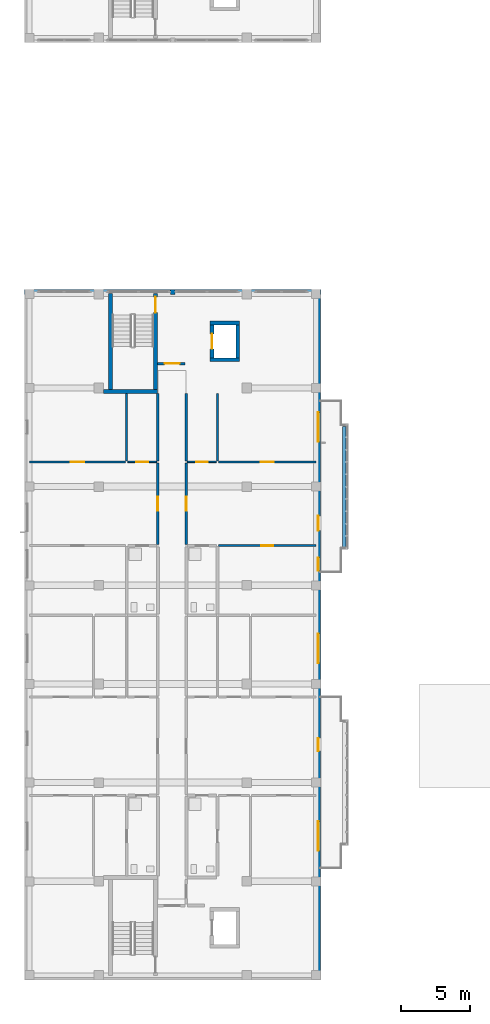
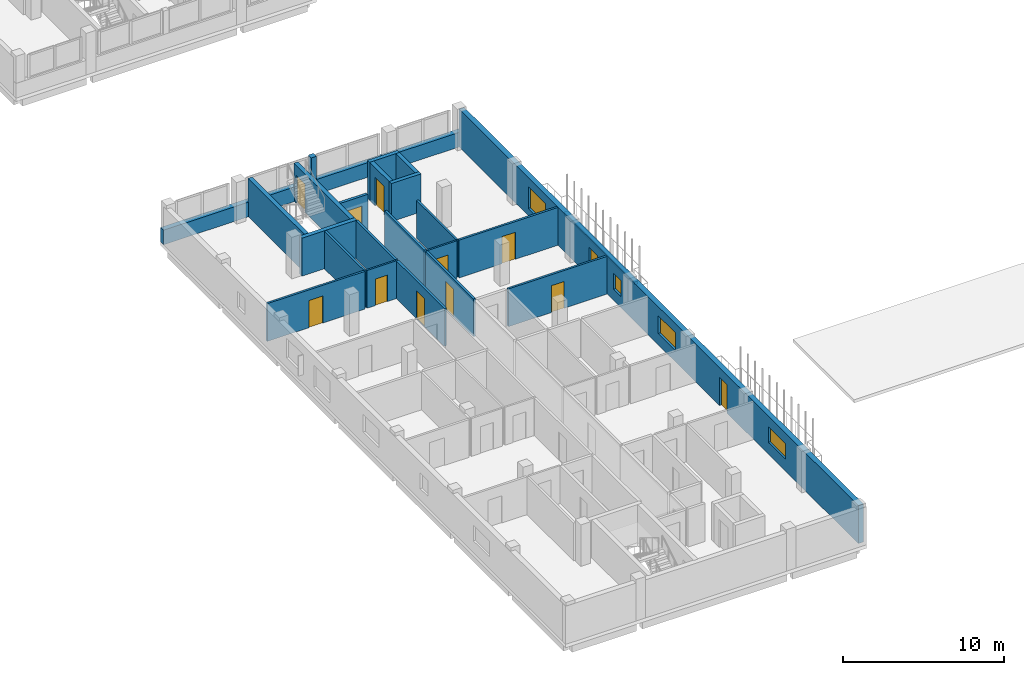
# One storey, part 26 of 51: 23 walls, 12 doors, 4 windows, 16 openings.
"""IFC4 building model written with IfcOpenShell, lengths in metres."""

from ifc_helpers import new_model, si_unit, derived_unit, direction, frame, frame_2d, origin, place, context, subcontext, project, spatial, rectangle, extrude, material, layer, layer_set, type_object, element, fill, save


model = new_model("IFC4")

# Units and contexts
model_context = context("Model", 3, precision=1e-05, world=origin(), true_north=direction((0.0, 1.0)))
body_context = subcontext(model_context, "Body", "Model", "MODEL_VIEW")
ifc_project = project(units=[si_unit("LENGTHUNIT", "METRE"), si_unit("AREAUNIT", "SQUARE_METRE"), si_unit("VOLUMEUNIT", "CUBIC_METRE"), si_unit("PLANEANGLEUNIT", "RADIAN"), si_unit("MASSUNIT", "GRAM", prefix="KILO"), derived_unit("THERMALTRANSMITTANCEUNIT", [(si_unit("MASSUNIT", "GRAM", prefix="KILO"), 1), (si_unit("TIMEUNIT", "SECOND"), -3), (si_unit("THERMODYNAMICTEMPERATUREUNIT", "KELVIN"), -1)])], contexts=[model_context])

# Site, building, storey
site_placement = place(None, origin())
site = spatial("IfcSite", under=ifc_project, at=site_placement, CompositionType="ELEMENT")
building_placement = place(site_placement, origin())
building = spatial("IfcBuilding", under=site, at=building_placement, Name="Ochrekiln Boulevard Commons", CompositionType="ELEMENT")
storey_placement = place(building_placement, frame((0.0, 0.0, 15.22509765625)))
storey = spatial("IfcBuildingStorey", under=building, at=storey_placement, Name="L04", CompositionType="ELEMENT", Elevation=15.22509765625)

# Wall, openings, doors, windows
ifc_material_1 = material(Name="Iron-spot brown clinker brick masonry ASTM C216 Grade SW", Category="masonry")
ifc_layer_1 = layer(ifc_material_1, 0.364990234375)
ifc_layer_set_1 = layer_set([ifc_layer_1], Name="Iron-spot brown clinker brick masonry ASTM C216 Grade SW")
wall_type_1 = type_object("IfcWallType", Name="WL-EXT-IRON-365", PredefinedType="SOLIDWALL", material=ifc_layer_set_1)
wall_1_placement = place(storey_placement, frame((21.41748046875, 0.364990234375, 0.0), z_axis=(0.0, 0.0, 1.0), x_axis=(0.0, 1.0, 0.0)))
wall_1 = element("IfcWall", 1, at=wall_1_placement, inside=storey, type_object=wall_type_1, Name="Block D L04 E Exterior Wall", PredefinedType="SOLIDWALL", context=body_context, shape_type="SweptSolid", body=[
    extrude(rectangle(XDim=49.669921875, YDim=0.364990234375, at=frame_2d((24.8349609375, 0.0))), origin(), (0.0, 0.0, 1.0), 2.889892578125),
])
opening_1_placement = place(wall_1_placement, frame((16.3349609375, 0.0, 0.0)))
opening_1 = element("IfcOpeningElement", 2, at=opening_1_placement, cuts=wall_1, Name="Opening D-L04-BL045", PredefinedType="OPENING", context=body_context, shape_type="SweptSolid", body=[
    extrude(rectangle(XDim=0.949951171875, YDim=2.14990234375, at=frame_2d((0.47509765625, 1.074951171875))), frame((0.0, 0.1923828125, 0.0), z_axis=(0.0, -1.0, 0.0), x_axis=(1.0, 0.0, 0.0)), (0.0, 0.0, 1.0), 0.385009765625),
])
opening_2_placement = place(wall_1_placement, frame((9.052978515625, 0.0, 0.89990234375)))
opening_2 = element("IfcOpeningElement", 3, at=opening_2_placement, cuts=wall_1, Name="Opening W-51", PredefinedType="OPENING", context=body_context, shape_type="SweptSolid", body=[
    extrude(rectangle(XDim=2.14990234375, YDim=1.199951171875, at=frame_2d((1.074951171875, 0.60009765625))), frame((0.0, 0.1923828125, 0.0), z_axis=(0.0, -1.0, 0.0), x_axis=(1.0, 0.0, 0.0)), (0.0, 0.0, 1.0), 0.385009765625),
])
opening_3_placement = place(wall_1_placement, frame((22.75390625, 0.0, 0.85498046875)))
opening_3 = element("IfcOpeningElement", 4, at=opening_3_placement, cuts=wall_1, Name="Opening W-52", PredefinedType="OPENING", context=body_context, shape_type="SweptSolid", body=[
    extrude(rectangle(XDim=2.14990234375, YDim=1.35009765625, at=frame_2d((1.074951171875, 0.675048828125))), frame((0.0, 0.1923828125, 0.0), z_axis=(0.0, -1.0, 0.0), x_axis=(1.0, 0.0, 0.0)), (0.0, 0.0, 1.0), 0.385009765625),
])
opening_4_placement = place(wall_1_placement, frame((32.429931640625, 0.0, 0.0)))
opening_4 = element("IfcOpeningElement", 5, at=opening_4_placement, cuts=wall_1, Name="Opening D-L04-BL046", PredefinedType="OPENING", context=body_context, shape_type="SweptSolid", body=[
    extrude(rectangle(XDim=1.080078125, YDim=2.179931640625, at=frame_2d((0.5400390625, 1.08984375))), frame((0.0, 0.1923828125, 0.0), z_axis=(0.0, -1.0, 0.0), x_axis=(1.0, 0.0, 0.0)), (0.0, 0.0, 1.0), 0.385009765625),
])
opening_5_placement = place(wall_1_placement, frame((29.5, 0.0, 0.85009765625)))
opening_5 = element("IfcOpeningElement", 6, at=opening_5_placement, cuts=wall_1, Name="Opening W-01", PredefinedType="OPENING", context=body_context, shape_type="SweptSolid", body=[
    extrude(rectangle(XDim=0.949951171875, YDim=1.199951171875, at=frame_2d((0.47509765625, 0.60009765625))), frame((0.0, 0.1923828125, 0.0), z_axis=(0.0, -1.0, 0.0), x_axis=(1.0, 0.0, 0.0)), (0.0, 0.0, 1.0), 0.385009765625),
])
opening_6_placement = place(wall_1_placement, frame((38.904052734375, 0.0, 0.554931640625)))
opening_6 = element("IfcOpeningElement", 7, at=opening_6_placement, cuts=wall_1, Name="Opening W-54", PredefinedType="OPENING", context=body_context, shape_type="SweptSolid", body=[
    extrude(rectangle(XDim=2.14990234375, YDim=1.64990234375, at=frame_2d((1.074951171875, 0.824951171875))), frame((0.0, 0.1923828125, 0.0), z_axis=(0.0, -1.0, 0.0), x_axis=(1.0, 0.0, 0.0)), (0.0, 0.0, 1.0), 0.385009765625),
])
ifc_material_2 = material(Name="Thermally broken aluminium-clad oak frame", Category="aluminium")
door_type_1 = type_object("IfcDoorType", Name="DR-EXT-BAL-095", OperationType="NOTDEFINED", PredefinedType="DOOR", material=ifc_material_2)
door_1_placement = place(opening_1_placement, frame((0.949951171875, 0.0, 0.0), z_axis=(0.0, 0.0, 1.0), x_axis=(-1.0, 0.0, 0.0)))
door_1 = element("IfcDoor", 8, at=door_1_placement, inside=storey, type_object=door_type_1, Name="Block D L04 Glazed Balcony Patio Door", OperationType="SINGLE_SWING_RIGHT", OverallHeight=2.14990234375, OverallWidth=0.949951171875, PredefinedType="DOOR", context=body_context, shape_type="SweptSolid", body=[
    extrude(rectangle(XDim=0.949951171875, YDim=2.14990234375, at=frame_2d((0.47509765625, 1.074951171875))), frame((0.0, 0.02490234375, 0.0), z_axis=(0.0, -1.0, 0.0), x_axis=(1.0, 0.0, 0.0)), (0.0, 0.0, 1.0), 0.050048828125),
])
fill(opening_1, door_1)
door_type_2 = type_object("IfcDoorType", Name="DR-EXT-BAL-108", OperationType="NOTDEFINED", PredefinedType="DOOR", material=ifc_material_2)
door_2_placement = place(opening_4_placement, frame((1.080078125, 0.0, 0.0), z_axis=(0.0, 0.0, 1.0), x_axis=(-1.0, 0.0, 0.0)))
door_2 = element("IfcDoor", 9, at=door_2_placement, inside=storey, type_object=door_type_2, Name="Block D L04 Glazed Balcony Patio Door", OperationType="SINGLE_SWING_LEFT", OverallHeight=2.179931640625, OverallWidth=1.080078125, PredefinedType="DOOR", context=body_context, shape_type="SweptSolid", body=[
    extrude(rectangle(XDim=1.080078125, YDim=2.179931640625, at=frame_2d((0.5400390625, 1.08984375))), frame((0.0, 0.02490234375, 0.0), z_axis=(0.0, -1.0, 0.0), x_axis=(1.0, 0.0, 0.0)), (0.0, 0.0, 1.0), 0.050048828125),
])
fill(opening_4, door_2)
window_type_1 = type_object("IfcWindowType", Name="WIN-EXT-01", PartitioningType="SINGLE_PANEL", PredefinedType="WINDOW", material=ifc_material_2)
window_1_placement = place(opening_5_placement, origin())
window_1 = element("IfcWindow", 10, at=window_1_placement, inside=storey, type_object=window_type_1, Name="Block D L04 Punched Masonry Window W-01", OverallHeight=1.199951171875, OverallWidth=0.949951171875, PartitioningType="SINGLE_PANEL", PredefinedType="WINDOW", context=body_context, shape_type="SweptSolid", body=[
    extrude(rectangle(XDim=0.949951171875, YDim=1.199951171875, at=frame_2d((0.47509765625, 0.60009765625))), frame((0.0, 0.030029296875, 0.0), z_axis=(0.0, -1.0, 0.0), x_axis=(1.0, 0.0, 0.0)), (0.0, 0.0, 1.0), 0.06005859375),
])
fill(opening_5, window_1)
window_type_2 = type_object("IfcWindowType", Name="WIN-EXT-51", PartitioningType="DOUBLE_PANEL_VERTICAL", PredefinedType="WINDOW", material=ifc_material_2)
window_2_placement = place(opening_2_placement, origin())
window_2 = element("IfcWindow", 11, at=window_2_placement, inside=storey, type_object=window_type_2, Name="Block D L04 Punched Masonry Window W-51", OverallHeight=1.199951171875, OverallWidth=2.14990234375, PartitioningType="DOUBLE_PANEL_VERTICAL", PredefinedType="WINDOW", context=body_context, shape_type="SweptSolid", body=[
    extrude(rectangle(XDim=2.14990234375, YDim=1.199951171875, at=frame_2d((1.074951171875, 0.60009765625))), frame((0.0, 0.030029296875, 0.0), z_axis=(0.0, -1.0, 0.0), x_axis=(1.0, 0.0, 0.0)), (0.0, 0.0, 1.0), 0.06005859375),
])
fill(opening_2, window_2)
window_type_3 = type_object("IfcWindowType", Name="WIN-EXT-52", PartitioningType="DOUBLE_PANEL_VERTICAL", PredefinedType="WINDOW", material=ifc_material_2)
window_3_placement = place(opening_3_placement, origin())
window_3 = element("IfcWindow", 12, at=window_3_placement, inside=storey, type_object=window_type_3, Name="Block D L04 Punched Masonry Window W-52", OverallHeight=1.35009765625, OverallWidth=2.14990234375, PartitioningType="DOUBLE_PANEL_VERTICAL", PredefinedType="WINDOW", context=body_context, shape_type="SweptSolid", body=[
    extrude(rectangle(XDim=2.14990234375, YDim=1.35009765625, at=frame_2d((1.074951171875, 0.675048828125))), frame((0.0, 0.030029296875, 0.0), z_axis=(0.0, -1.0, 0.0), x_axis=(1.0, 0.0, 0.0)), (0.0, 0.0, 1.0), 0.06005859375),
])
fill(opening_3, window_3)
window_type_4 = type_object("IfcWindowType", Name="WIN-EXT-54", PartitioningType="DOUBLE_PANEL_VERTICAL", PredefinedType="WINDOW", material=ifc_material_2)
window_4_placement = place(opening_6_placement, origin())
window_4 = element("IfcWindow", 13, at=window_4_placement, inside=storey, type_object=window_type_4, Name="Block D L04 Punched Masonry Window W-54", OverallHeight=1.64990234375, OverallWidth=2.14990234375, PartitioningType="DOUBLE_PANEL_VERTICAL", PredefinedType="WINDOW", context=body_context, shape_type="SweptSolid", body=[
    extrude(rectangle(XDim=2.14990234375, YDim=1.64990234375, at=frame_2d((1.074951171875, 0.824951171875))), frame((0.0, 0.030029296875, 0.0), z_axis=(0.0, -1.0, 0.0), x_axis=(1.0, 0.0, 0.0)), (0.0, 0.0, 1.0), 0.06005859375),
])
fill(opening_6, window_4)

# Walls
wall_2_placement = place(storey_placement, frame((0.0, 50.217529296875, 0.0), z_axis=(0.0, 0.0, 1.0), x_axis=(1.0, 0.0, 0.0)))
element("IfcWall", 14, at=wall_2_placement, inside=storey, type_object=wall_type_1, Name="Block D L04 Courtyard Gable Sill Wall", PredefinedType="SOLIDWALL", context=body_context, shape_type="SweptSolid", body=[
    extrude(rectangle(XDim=21.60009765625, YDim=0.364990234375, at=frame_2d((10.800048828125, 0.0))), origin(), (0.0, 0.0, 1.0), 1.10986328125),
])
wall_3_placement = place(storey_placement, frame((10.6201171875, 50.217529296875, 1.10986328125), z_axis=(0.0, 0.0, 1.0), x_axis=(1.0, 0.0, 0.0)))
element("IfcWall", 15, at=wall_3_placement, inside=storey, type_object=wall_type_1, Name="Block D L04 Courtyard Gable Mullion Pier", PredefinedType="SOLIDWALL", context=body_context, shape_type="SweptSolid", body=[
    extrude(rectangle(XDim=0.35986328125, YDim=0.364990234375, at=frame_2d((0.179931640625, 0.0))), origin(), (0.0, 0.0, 1.0), 1.780029296875),
])
ifc_material_3 = material(Name="Glazed architectural terracotta ASTM C1405", Category="masonry")
ifc_layer_2 = layer(ifc_material_3, 0.25)
ifc_layer_set_2 = layer_set([ifc_layer_2], Name="Glazed architectural terracotta ASTM C1405")
wall_type_2 = type_object("IfcWallType", Name="WL-PLN-250", PredefinedType="PARAPET", material=ifc_layer_set_2)
wall_4_placement = place(storey_placement, frame((23.320068359375, 31.610107421875, 0.0), z_axis=(0.0, 0.0, 1.0), x_axis=(0.0, 1.0, 0.0)))
element("IfcWall", 16, at=wall_4_placement, inside=storey, type_object=wall_type_2, Name="Block D L04 Balcony Terracotta Planter Box 2", PredefinedType="PARAPET", context=body_context, shape_type="SweptSolid", body=[
    extrude(rectangle(XDim=8.77978515625, YDim=0.25, at=frame_2d((4.389892578125, 0.0))), origin(), (0.0, 0.0, 1.0), 0.22998046875),
])

# Wall, opening, door
ifc_material_4 = material(Name="Fire-rated Type X gypsum board on steel studs", Category="steel")
ifc_layer_3 = layer(ifc_material_4, 0.1650390625)
ifc_layer_set_3 = layer_set([ifc_layer_3], Name="Fire-rated Type X gypsum board on steel studs")
wall_type_3 = type_object("IfcWallType", Name="WL-PT-CORR-165", PredefinedType="PARTITIONING", material=ifc_layer_set_3)
wall_5_placement = place(storey_placement, frame((9.7099609375, 31.77001953125, 0.0), z_axis=(0.0, 0.0, 1.0), x_axis=(0.0, 1.0, 0.0)))
wall_5 = element("IfcWall", 17, at=wall_5_placement, inside=storey, type_object=wall_type_3, Name="L04 Interior Wall W-PC165", PredefinedType="PARTITIONING", context=body_context, shape_type="SweptSolid", body=[
    extrude(rectangle(XDim=5.9580078125, YDim=0.1650390625, at=frame_2d((2.97900390625, 0.0))), origin(), (0.0, 0.0, 1.0), 2.869873046875),
])
opening_7_placement = place(wall_5_placement, frame((2.47412109375, 0.0, 0.0)))
opening_7 = element("IfcOpeningElement", 18, at=opening_7_placement, cuts=wall_5, Name="Opening D-L04-652", PredefinedType="OPENING", context=body_context, shape_type="SweptSolid", body=[
    extrude(rectangle(XDim=1.010009765625, YDim=2.110107421875, at=frame_2d((0.5048828125, 1.05517578125))), frame((0.0, 0.092529296875, 0.0), z_axis=(0.0, -1.0, 0.0), x_axis=(1.0, 0.0, 0.0)), (0.0, 0.0, 1.0), 0.18505859375),
])
ifc_material_5 = material(Name="Solid core architectural oak door leaf")
door_type_3 = type_object("IfcDoorType", Name="DR-INT-APT-101", OperationType="NOTDEFINED", PredefinedType="DOOR", material=ifc_material_5)
door_3_placement = place(opening_7_placement, origin())
door_3 = element("IfcDoor", 19, at=door_3_placement, inside=storey, type_object=door_type_3, Name="L04 Interior Door to Two-Bedroom Apartment Living Room", OperationType="SINGLE_SWING_RIGHT", OverallHeight=2.110107421875, OverallWidth=1.010009765625, PredefinedType="DOOR", context=body_context, shape_type="SweptSolid", body=[
    extrude(rectangle(XDim=1.010009765625, YDim=2.110107421875, at=frame_2d((0.5048828125, 1.05517578125))), frame((0.0, 0.02490234375, 0.0), z_axis=(0.0, -1.0, 0.0), x_axis=(1.0, 0.0, 0.0)), (0.0, 0.0, 1.0), 0.050048828125),
])
fill(opening_7, door_3)

# Wall
wall_6_placement = place(storey_placement, frame((9.7099609375, 37.887939453125, 0.0), z_axis=(0.0, 0.0, 1.0), x_axis=(0.0, 1.0, 0.0)))
element("IfcWall", 20, at=wall_6_placement, inside=storey, type_object=wall_type_3, Name="L04 Interior Wall W-PC165", PredefinedType="PARTITIONING", context=body_context, shape_type="SweptSolid", body=[
    extrude(rectangle(XDim=4.912109375, YDim=0.1650390625, at=frame_2d((2.4560546875, 0.0))), origin(), (0.0, 0.0, 1.0), 2.869873046875),
])

# Wall, opening, door
wall_7_placement = place(storey_placement, frame((11.7900390625, 31.77001953125, 0.0), z_axis=(0.0, 0.0, 1.0), x_axis=(0.0, 1.0, 0.0)))
wall_7 = element("IfcWall", 21, at=wall_7_placement, inside=storey, type_object=wall_type_3, Name="L04 Interior Wall W-PC165", PredefinedType="PARTITIONING", context=body_context, shape_type="SweptSolid", body=[
    extrude(rectangle(XDim=5.9580078125, YDim=0.1650390625, at=frame_2d((2.97900390625, 0.0))), origin(), (0.0, 0.0, 1.0), 2.869873046875),
])
opening_8_placement = place(wall_7_placement, frame((2.47412109375, 0.0, 0.0)))
opening_8 = element("IfcOpeningElement", 22, at=opening_8_placement, cuts=wall_7, Name="Opening D-L04-654", PredefinedType="OPENING", context=body_context, shape_type="SweptSolid", body=[
    extrude(rectangle(XDim=1.010009765625, YDim=2.110107421875, at=frame_2d((0.5048828125, 1.05517578125))), frame((0.0, 0.092529296875, 0.0), z_axis=(0.0, -1.0, 0.0), x_axis=(1.0, 0.0, 0.0)), (0.0, 0.0, 1.0), 0.18505859375),
])
door_4_placement = place(opening_8_placement, frame((1.010009765625, 0.0, 0.0), z_axis=(0.0, 0.0, 1.0), x_axis=(-1.0, 0.0, 0.0)))
door_4 = element("IfcDoor", 23, at=door_4_placement, inside=storey, type_object=door_type_3, Name="L04 Interior Door to Two-Bedroom Apartment Living Room", OperationType="SINGLE_SWING_RIGHT", OverallHeight=2.110107421875, OverallWidth=1.010009765625, PredefinedType="DOOR", context=body_context, shape_type="SweptSolid", body=[
    extrude(rectangle(XDim=1.010009765625, YDim=2.110107421875, at=frame_2d((0.5048828125, 1.05517578125))), frame((0.0, 0.02490234375, 0.0), z_axis=(0.0, -1.0, 0.0), x_axis=(1.0, 0.0, 0.0)), (0.0, 0.0, 1.0), 0.050048828125),
])
fill(opening_8, door_4)

# Wall
wall_8_placement = place(storey_placement, frame((11.7900390625, 37.887939453125, 0.0), z_axis=(0.0, 0.0, 1.0), x_axis=(0.0, 1.0, 0.0)))
element("IfcWall", 24, at=wall_8_placement, inside=storey, type_object=wall_type_3, Name="L04 Interior Wall W-PC165", PredefinedType="PARTITIONING", context=body_context, shape_type="SweptSolid", body=[
    extrude(rectangle(XDim=4.912109375, YDim=0.1650390625, at=frame_2d((2.4560546875, 0.0))), origin(), (0.0, 0.0, 1.0), 2.869873046875),
])

# Wall, opening, door
ifc_layer_4 = layer(ifc_material_4, 0.18994140625)
ifc_layer_set_4 = layer_set([ifc_layer_4], Name="Fire-rated Type X gypsum board on steel studs")
wall_type_4 = type_object("IfcWallType", Name="WL-PT-LBY-190", PredefinedType="PARTITIONING", material=ifc_layer_set_4)
wall_9_placement = place(storey_placement, frame((9.699951171875, 44.97998046875, 0.0), z_axis=(0.0, 0.0, 1.0), x_axis=(1.0, 0.0, 0.0)))
wall_9 = element("IfcWall", 25, at=wall_9_placement, inside=storey, type_object=wall_type_4, Name="L04 Interior Wall W-PL190", PredefinedType="PARTITIONING", context=body_context, shape_type="SweptSolid", body=[
    extrude(rectangle(XDim=2.0, YDim=0.18994140625, at=frame_2d((1.0, 0.0))), origin(), (0.0, 0.0, 1.0), 2.869873046875),
])
opening_9_placement = place(wall_9_placement, frame((0.5, 0.0, 0.0)))
opening_9 = element("IfcOpeningElement", 26, at=opening_9_placement, cuts=wall_9, Name="Opening D-L04-649", PredefinedType="OPENING", context=body_context, shape_type="SweptSolid", body=[
    extrude(rectangle(XDim=1.10009765625, YDim=2.1201171875, at=frame_2d((0.550048828125, 1.06005859375))), frame((0.0, 0.10498046875, 0.0), z_axis=(0.0, -1.0, 0.0), x_axis=(1.0, 0.0, 0.0)), (0.0, 0.0, 1.0), 0.2099609375),
])
ifc_material_6 = material(Name="Hollow metal fire-rated steel door assembly", Category="steel")
door_type_4 = type_object("IfcDoorType", Name="DR-LOBBY-60", OperationType="NOTDEFINED", PredefinedType="DOOR", material=ifc_material_6)
door_5_placement = place(opening_9_placement, origin())
door_5 = element("IfcDoor", 27, at=door_5_placement, inside=storey, type_object=door_type_4, Name="L04 Interior Door to Passenger Elevator Lobby", OperationType="SINGLE_SWING_LEFT", OverallHeight=2.1201171875, OverallWidth=1.10009765625, PredefinedType="DOOR", context=body_context, shape_type="SweptSolid", body=[
    extrude(rectangle(XDim=1.10009765625, YDim=2.1201171875, at=frame_2d((0.550048828125, 1.06005859375))), frame((0.0, 0.02490234375, 0.0), z_axis=(0.0, -1.0, 0.0), x_axis=(1.0, 0.0, 0.0)), (0.0, 0.0, 1.0), 0.050048828125),
])
fill(opening_9, door_5)

ifc_layer_5 = layer(ifc_material_4, 0.1201171875)
ifc_layer_set_5 = layer_set([ifc_layer_5], Name="Fire-rated Type X gypsum board on steel studs")
wall_type_5 = type_object("IfcWallType", Name="WL-PT-LGT-120", PredefinedType="PARTITIONING", material=ifc_layer_set_5)
wall_10_placement = place(storey_placement, frame((7.52001953125, 37.80810546875, 0.0), z_axis=(0.0, 0.0, 1.0), x_axis=(1.0, 0.0, 0.0)))
wall_10 = element("IfcWall", 28, at=wall_10_placement, inside=storey, type_object=wall_type_5, Name="L04 Interior Wall W-PL120", PredefinedType="PARTITIONING", context=body_context, shape_type="SweptSolid", body=[
    extrude(rectangle(XDim=2.10791015625, YDim=0.1201171875, at=frame_2d((1.053955078125, 0.0))), origin(), (0.0, 0.0, 1.0), 2.869873046875),
])
opening_10_placement = place(wall_10_placement, frame((0.625, 0.0, 0.0)))
opening_10 = element("IfcOpeningElement", 29, at=opening_10_placement, cuts=wall_10, Name="Opening D-L04-663", PredefinedType="OPENING", context=body_context, shape_type="SweptSolid", body=[
    extrude(rectangle(XDim=0.85009765625, YDim=2.010009765625, at=frame_2d((0.425048828125, 1.0048828125))), frame((0.0, 0.070068359375, 0.0), z_axis=(0.0, -1.0, 0.0), x_axis=(1.0, 0.0, 0.0)), (0.0, 0.0, 1.0), 0.14013671875),
])
door_type_5 = type_object("IfcDoorType", Name="DR-INT-KIT-085", OperationType="NOTDEFINED", PredefinedType="DOOR", material=ifc_material_5)
door_6_placement = place(opening_10_placement, origin())
door_6 = element("IfcDoor", 30, at=door_6_placement, inside=storey, type_object=door_type_5, Name="L04 Interior Door to Apartment Kitchen", OperationType="SINGLE_SWING_LEFT", OverallHeight=2.010009765625, OverallWidth=0.85009765625, PredefinedType="DOOR", context=body_context, shape_type="SweptSolid", body=[
    extrude(rectangle(XDim=0.85009765625, YDim=2.010009765625, at=frame_2d((0.425048828125, 1.0048828125))), frame((0.0, 0.02490234375, 0.0), z_axis=(0.0, -1.0, 0.0), x_axis=(1.0, 0.0, 0.0)), (0.0, 0.0, 1.0), 0.050048828125),
])
fill(opening_10, door_6)

wall_11_placement = place(storey_placement, frame((11.8720703125, 37.80810546875, 0.0), z_axis=(0.0, 0.0, 1.0), x_axis=(1.0, 0.0, 0.0)))
wall_11 = element("IfcWall", 31, at=wall_11_placement, inside=storey, type_object=wall_type_5, Name="L04 Interior Wall W-PL120", PredefinedType="PARTITIONING", context=body_context, shape_type="SweptSolid", body=[
    extrude(rectangle(XDim=2.10791015625, YDim=0.1201171875, at=frame_2d((1.053955078125, 0.0))), origin(), (0.0, 0.0, 1.0), 2.869873046875),
])
opening_11_placement = place(wall_11_placement, frame((0.633056640625, 0.0, 0.0)))
opening_11 = element("IfcOpeningElement", 32, at=opening_11_placement, cuts=wall_11, Name="Opening D-L04-674", PredefinedType="OPENING", context=body_context, shape_type="SweptSolid", body=[
    extrude(rectangle(XDim=0.85009765625, YDim=2.010009765625, at=frame_2d((0.425048828125, 1.0048828125))), frame((0.0, 0.070068359375, 0.0), z_axis=(0.0, -1.0, 0.0), x_axis=(1.0, 0.0, 0.0)), (0.0, 0.0, 1.0), 0.14013671875),
])
door_7_placement = place(opening_11_placement, origin())
door_7 = element("IfcDoor", 33, at=door_7_placement, inside=storey, type_object=door_type_5, Name="L04 Interior Door to Apartment Kitchen", OperationType="SINGLE_SWING_RIGHT", OverallHeight=2.010009765625, OverallWidth=0.85009765625, PredefinedType="DOOR", context=body_context, shape_type="SweptSolid", body=[
    extrude(rectangle(XDim=0.85009765625, YDim=2.010009765625, at=frame_2d((0.425048828125, 1.0048828125))), frame((0.0, 0.02490234375, 0.0), z_axis=(0.0, -1.0, 0.0), x_axis=(1.0, 0.0, 0.0)), (0.0, 0.0, 1.0), 0.050048828125),
])
fill(opening_11, door_7)

ifc_layer_6 = layer(ifc_material_4, 0.14990234375)
ifc_layer_set_6 = layer_set([ifc_layer_6], Name="Fire-rated Type X gypsum board on steel studs")
wall_type_6 = type_object("IfcWallType", Name="WL-PT-STD-150", PredefinedType="PARTITIONING", material=ifc_layer_set_6)
wall_12_placement = place(storey_placement, frame((0.35009765625, 37.80810546875, 0.0), z_axis=(0.0, 0.0, 1.0), x_axis=(1.0, 0.0, 0.0)))
wall_12 = element("IfcWall", 34, at=wall_12_placement, inside=storey, type_object=wall_type_6, Name="L04 Interior Wall W-PS150", PredefinedType="PARTITIONING", context=body_context, shape_type="SweptSolid", body=[
    extrude(rectangle(XDim=7.010009765625, YDim=0.14990234375, at=frame_2d((3.5048828125, 0.0))), origin(), (0.0, 0.0, 1.0), 2.869873046875),
])
opening_12_placement = place(wall_12_placement, frame((3.0048828125, 0.0, 0.0)))
opening_12 = element("IfcOpeningElement", 35, at=opening_12_placement, cuts=wall_12, Name="Opening D-L04-665", PredefinedType="OPENING", context=body_context, shape_type="SweptSolid", body=[
    extrude(rectangle(XDim=1.0, YDim=2.06005859375, at=frame_2d((0.5, 1.030029296875))), frame((0.0, 0.0849609375, 0.0), z_axis=(0.0, -1.0, 0.0), x_axis=(1.0, 0.0, 0.0)), (0.0, 0.0, 1.0), 0.169921875),
])
door_type_6 = type_object("IfcDoorType", Name="DR-INT-BED-100", OperationType="NOTDEFINED", PredefinedType="DOOR", material=ifc_material_5)
door_8_placement = place(opening_12_placement, origin())
door_8 = element("IfcDoor", 36, at=door_8_placement, inside=storey, type_object=door_type_6, Name="L04 Interior Door to Secondary Apartment Bedroom", OperationType="SINGLE_SWING_LEFT", OverallHeight=2.06005859375, OverallWidth=1.0, PredefinedType="DOOR", context=body_context, shape_type="SweptSolid", body=[
    extrude(rectangle(XDim=1.0, YDim=2.06005859375, at=frame_2d((0.5, 1.030029296875))), frame((0.0, 0.02490234375, 0.0), z_axis=(0.0, -1.0, 0.0), x_axis=(1.0, 0.0, 0.0)), (0.0, 0.0, 1.0), 0.050048828125),
])
fill(opening_12, door_8)

# Wall
wall_13_placement = place(storey_placement, frame((7.43994140625, 37.867919921875, 0.0), z_axis=(0.0, 0.0, 1.0), x_axis=(0.0, 1.0, 0.0)))
element("IfcWall", 37, at=wall_13_placement, inside=storey, type_object=wall_type_6, Name="L04 Interior Wall W-PS150", PredefinedType="PARTITIONING", context=body_context, shape_type="SweptSolid", body=[
    extrude(rectangle(XDim=4.93212890625, YDim=0.14990234375, at=frame_2d((2.466064453125, 0.0))), origin(), (0.0, 0.0, 1.0), 2.869873046875),
])

# Wall, opening, door
wall_14_placement = place(storey_placement, frame((14.139892578125, 31.68994140625, 0.0), z_axis=(0.0, 0.0, 1.0), x_axis=(1.0, 0.0, 0.0)))
wall_14 = element("IfcWall", 38, at=wall_14_placement, inside=storey, type_object=wall_type_6, Name="L04 Interior Wall W-PS150", PredefinedType="PARTITIONING", context=body_context, shape_type="SweptSolid", body=[
    extrude(rectangle(XDim=7.110107421875, YDim=0.14990234375, at=frame_2d((3.55517578125, 0.0))), origin(), (0.0, 0.0, 1.0), 2.869873046875),
])
opening_13_placement = place(wall_14_placement, frame((3.10498046875, 0.0, 0.0)))
opening_13 = element("IfcOpeningElement", 39, at=opening_13_placement, cuts=wall_14, Name="Opening D-L04-675", PredefinedType="OPENING", context=body_context, shape_type="SweptSolid", body=[
    extrude(rectangle(XDim=0.89990234375, YDim=2.0400390625, at=frame_2d((0.449951171875, 1.02001953125))), frame((0.0, 0.0849609375, 0.0), z_axis=(0.0, -1.0, 0.0), x_axis=(1.0, 0.0, 0.0)), (0.0, 0.0, 1.0), 0.169921875),
])
door_type_7 = type_object("IfcDoorType", Name="DR-INT-BED-090", OperationType="NOTDEFINED", PredefinedType="DOOR", material=ifc_material_5)
door_9_placement = place(opening_13_placement, frame((0.89990234375, 0.0, 0.0), z_axis=(0.0, 0.0, 1.0), x_axis=(-1.0, 0.0, 0.0)))
door_9 = element("IfcDoor", 40, at=door_9_placement, inside=storey, type_object=door_type_7, Name="L04 Interior Door to Primary Apartment Bedroom", OperationType="SINGLE_SWING_LEFT", OverallHeight=2.0400390625, OverallWidth=0.89990234375, PredefinedType="DOOR", context=body_context, shape_type="SweptSolid", body=[
    extrude(rectangle(XDim=0.89990234375, YDim=2.0400390625, at=frame_2d((0.449951171875, 1.02001953125))), frame((0.0, 0.02490234375, 0.0), z_axis=(0.0, -1.0, 0.0), x_axis=(1.0, 0.0, 0.0)), (0.0, 0.0, 1.0), 0.050048828125),
])
fill(opening_13, door_9)

wall_15_placement = place(storey_placement, frame((14.139892578125, 37.80810546875, 0.0), z_axis=(0.0, 0.0, 1.0), x_axis=(1.0, 0.0, 0.0)))
wall_15 = element("IfcWall", 41, at=wall_15_placement, inside=storey, type_object=wall_type_6, Name="L04 Interior Wall W-PS150", PredefinedType="PARTITIONING", context=body_context, shape_type="SweptSolid", body=[
    extrude(rectangle(XDim=7.110107421875, YDim=0.14990234375, at=frame_2d((3.55517578125, 0.0))), origin(), (0.0, 0.0, 1.0), 2.869873046875),
])
opening_14_placement = place(wall_15_placement, frame((3.0849609375, 0.0, 0.0)))
opening_14 = element("IfcOpeningElement", 42, at=opening_14_placement, cuts=wall_15, Name="Opening D-L04-676", PredefinedType="OPENING", context=body_context, shape_type="SweptSolid", body=[
    extrude(rectangle(XDim=0.93994140625, YDim=2.06005859375, at=frame_2d((0.469970703125, 1.030029296875))), frame((0.0, 0.0849609375, 0.0), z_axis=(0.0, -1.0, 0.0), x_axis=(1.0, 0.0, 0.0)), (0.0, 0.0, 1.0), 0.169921875),
])
door_type_8 = type_object("IfcDoorType", Name="DR-INT-BED-094", OperationType="NOTDEFINED", PredefinedType="DOOR", material=ifc_material_5)
door_10_placement = place(opening_14_placement, origin())
door_10 = element("IfcDoor", 43, at=door_10_placement, inside=storey, type_object=door_type_8, Name="L04 Interior Door to Secondary Apartment Bedroom", OperationType="SINGLE_SWING_RIGHT", OverallHeight=2.06005859375, OverallWidth=0.93994140625, PredefinedType="DOOR", context=body_context, shape_type="SweptSolid", body=[
    extrude(rectangle(XDim=0.93994140625, YDim=2.06005859375, at=frame_2d((0.469970703125, 1.030029296875))), frame((0.0, 0.02490234375, 0.0), z_axis=(0.0, -1.0, 0.0), x_axis=(1.0, 0.0, 0.0)), (0.0, 0.0, 1.0), 0.050048828125),
])
fill(opening_14, door_10)

# Walls
wall_16_placement = place(storey_placement, frame((14.06005859375, 37.867919921875, 0.0), z_axis=(0.0, 0.0, 1.0), x_axis=(0.0, 1.0, 0.0)))
element("IfcWall", 44, at=wall_16_placement, inside=storey, type_object=wall_type_6, Name="L04 Interior Wall W-PS150", PredefinedType="PARTITIONING", context=body_context, shape_type="SweptSolid", body=[
    extrude(rectangle(XDim=4.93212890625, YDim=0.14990234375, at=frame_2d((2.466064453125, 0.0))), origin(), (0.0, 0.0, 1.0), 2.869873046875),
])
ifc_material_7 = material(Name="Concrete C40/50", Category="concrete")
ifc_layer_7 = layer(ifc_material_7, 0.27490234375)
ifc_layer_set_7 = layer_set([ifc_layer_7], Name="Concrete C40/50")
wall_type_7 = type_object("IfcWallType", Name="WL-SH-275", PredefinedType="SHEAR", material=ifc_layer_set_7)
for number, where, z_axis, x_axis, name in (
    (45, (13.52490234375, 45.262451171875, 0.0), (0.0, 0.0, 1.0), (1.0, 0.0, 0.0), "Elevator LP-D2 L04 Hoistway Shear Wall"),
    (46, (13.52490234375, 47.9375, 0.0), (0.0, 0.0, 1.0), (1.0, 0.0, 0.0), "Elevator LP-D2 L04 Hoistway Shear Wall"),
):
    element("IfcWall", number, at=place(storey_placement, frame(where, z_axis=z_axis, x_axis=x_axis)), inside=storey, type_object=wall_type_7, Name=name, PredefinedType="SHEAR", context=body_context, shape_type="SweptSolid", body=[
        extrude(rectangle(XDim=2.150146484375, YDim=0.27490234375, at=frame_2d((1.0751953125, 0.0))), origin(), (0.0, 0.0, 1.0), 2.889892578125),
    ])

# Wall, opening, door
wall_17_placement = place(storey_placement, frame((13.66259765625, 45.39990234375, 0.0), z_axis=(0.0, 0.0, 1.0), x_axis=(0.0, 1.0, 0.0)))
wall_17 = element("IfcWall", 47, at=wall_17_placement, inside=storey, type_object=wall_type_7, Name="Elevator LP-D2 L04 Hoistway Shear Wall", PredefinedType="SHEAR", context=body_context, shape_type="SweptSolid", body=[
    extrude(rectangle(XDim=2.400146484375, YDim=0.27490234375, at=frame_2d((1.2001953125, 0.0))), origin(), (0.0, 0.0, 1.0), 2.889892578125),
])
opening_15_placement = place(wall_17_placement, frame((0.64990234375, 0.0, 0.0)))
opening_15 = element("IfcOpeningElement", 48, at=opening_15_placement, cuts=wall_17, Name="Opening LD-LP-D2-L04", PredefinedType="OPENING", context=body_context, shape_type="SweptSolid", body=[
    extrude(rectangle(XDim=1.10009765625, YDim=2.14990234375, at=frame_2d((0.550048828125, 1.074951171875))), frame((0.0, 0.1474609375, 0.0), z_axis=(0.0, -1.0, 0.0), x_axis=(1.0, 0.0, 0.0)), (0.0, 0.0, 1.0), 0.294921875),
])
ifc_material_8 = material(Name="Brushed stainless steel 316 elevator cab and doors", Category="steel")
door_type_9 = type_object("IfcDoorType", Name="DR-LIFT-LD90", OperationType="SLIDING_TO_LEFT", PredefinedType="DOOR", material=ifc_material_8)
door_11_placement = place(opening_15_placement, origin())
door_11 = element("IfcDoor", 49, at=door_11_placement, inside=storey, type_object=door_type_9, Name="Elevator LP-D2 L04 Sliding Landing Door LD-LP-D2-L04", OperationType="SLIDING_TO_LEFT", OverallHeight=2.14990234375, OverallWidth=1.10009765625, PredefinedType="DOOR", context=body_context, shape_type="SweptSolid", body=[
    extrude(rectangle(XDim=1.10009765625, YDim=2.14990234375, at=frame_2d((0.550048828125, 1.074951171875))), frame((0.0, 0.02490234375, 0.0), z_axis=(0.0, -1.0, 0.0), x_axis=(1.0, 0.0, 0.0)), (0.0, 0.0, 1.0), 0.050048828125),
])
fill(opening_15, door_11)

# Walls
wall_18_placement = place(storey_placement, frame((15.53759765625, 45.39990234375, 0.0), z_axis=(0.0, 0.0, 1.0), x_axis=(0.0, 1.0, 0.0)))
element("IfcWall", 50, at=wall_18_placement, inside=storey, type_object=wall_type_7, Name="Elevator LP-D2 L04 Hoistway Shear Wall", PredefinedType="SHEAR", context=body_context, shape_type="SweptSolid", body=[
    extrude(rectangle(XDim=2.400146484375, YDim=0.27490234375, at=frame_2d((1.2001953125, 0.0))), origin(), (0.0, 0.0, 1.0), 2.889892578125),
])
ifc_layer_8 = layer(ifc_material_7, 0.300048828125)
ifc_layer_set_8 = layer_set([ifc_layer_8], Name="Concrete C40/50")
wall_type_8 = type_object("IfcWallType", Name="WL-SH-300", PredefinedType="SHEAR", material=ifc_layer_set_8)
wall_19_placement = place(storey_placement, frame((5.75, 42.929931640625, 0.0), z_axis=(0.0, 0.0, 1.0), x_axis=(1.0, 0.0, 0.0)))
element("IfcWall", 51, at=wall_19_placement, inside=storey, type_object=wall_type_8, Name="Stair ST-D2 L04 Core Shear Wall S", PredefinedType="SHEAR", context=body_context, shape_type="SweptSolid", body=[
    extrude(rectangle(XDim=3.949951171875, YDim=0.300048828125, at=frame_2d((1.97509765625, 0.0))), origin(), (0.0, 0.0, 1.0), 2.889892578125),
])
wall_20_placement = place(storey_placement, frame((6.25, 43.080078125, 0.0), z_axis=(0.0, 0.0, 1.0), x_axis=(0.0, 1.0, 0.0)))
element("IfcWall", 52, at=wall_20_placement, inside=storey, type_object=wall_type_8, Name="Stair ST-D2 L04 Core Shear Wall W", PredefinedType="SHEAR", context=body_context, shape_type="SweptSolid", body=[
    extrude(rectangle(XDim=7.0, YDim=0.300048828125, at=frame_2d((3.5, 0.0))), origin(), (0.0, 0.0, 1.0), 2.889892578125),
])

# Wall, opening, door
wall_21_placement = place(storey_placement, frame((9.550048828125, 43.080078125, 0.0), z_axis=(0.0, 0.0, 1.0), x_axis=(0.0, 1.0, 0.0)))
wall_21 = element("IfcWall", 53, at=wall_21_placement, inside=storey, type_object=wall_type_8, Name="Stair ST-D2 L04 Core Shear Wall E", PredefinedType="SHEAR", context=body_context, shape_type="SweptSolid", body=[
    extrude(rectangle(XDim=7.0, YDim=0.300048828125, at=frame_2d((3.5, 0.0))), origin(), (0.0, 0.0, 1.0), 2.889892578125),
])
opening_16_placement = place(wall_21_placement, frame((5.625, 0.0, 0.0)))
opening_16 = element("IfcOpeningElement", 54, at=opening_16_placement, cuts=wall_21, Name="Opening D-L04-ST-D2", PredefinedType="OPENING", context=body_context, shape_type="SweptSolid", body=[
    extrude(rectangle(XDim=1.14990234375, YDim=2.1201171875, at=frame_2d((0.574951171875, 1.06005859375))), frame((0.0, 0.159912109375, 0.0), z_axis=(0.0, -1.0, 0.0), x_axis=(1.0, 0.0, 0.0)), (0.0, 0.0, 1.0), 0.320068359375),
])
door_type_10 = type_object("IfcDoorType", Name="DR-STAIR-90", OperationType="NOTDEFINED", PredefinedType="DOOR", material=ifc_material_6)
door_12_placement = place(opening_16_placement, origin())
door_12 = element("IfcDoor", 55, at=door_12_placement, inside=storey, type_object=door_type_10, Name="Enclosed Exit Stair ST-D2 L04 Rated Door", OperationType="SINGLE_SWING_RIGHT", OverallHeight=2.1201171875, OverallWidth=1.14990234375, PredefinedType="DOOR", context=body_context, shape_type="SweptSolid", body=[
    extrude(rectangle(XDim=1.14990234375, YDim=2.1201171875, at=frame_2d((0.574951171875, 1.06005859375))), frame((0.0, 0.02490234375, 0.0), z_axis=(0.0, -1.0, 0.0), x_axis=(1.0, 0.0, 0.0)), (0.0, 0.0, 1.0), 0.050048828125),
])
fill(opening_16, door_12)

save(model, "model.ifc")
